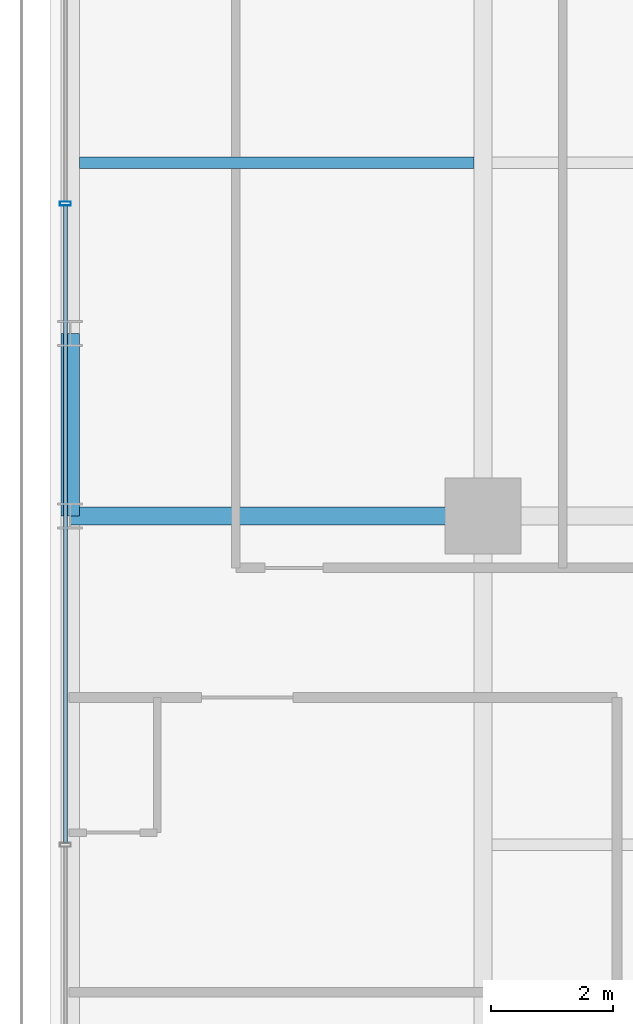
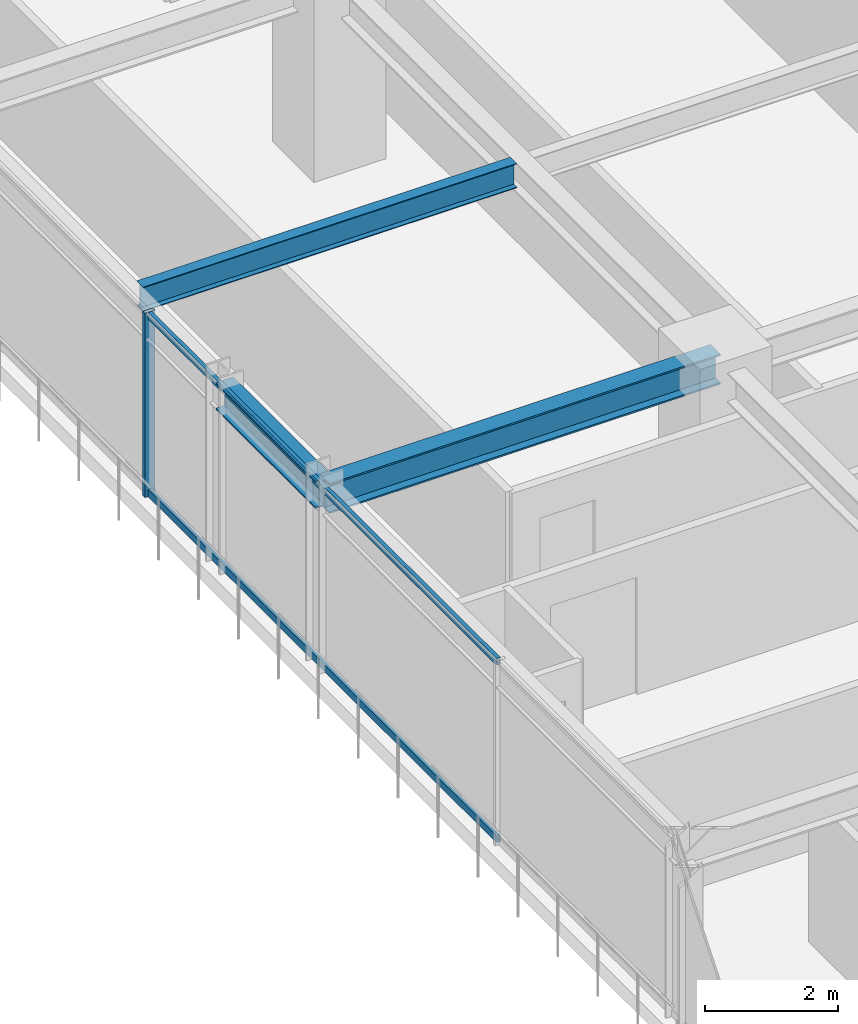
# One storey, part 17 of 34: 3 beams, 3 members, 1 element without a shape of its own.
"""IFC4 building model written with IfcOpenShell, lengths in metres."""

import ifcopenshell
import ifcopenshell.guid

model = None  # the IFC model being written
_history = None  # IfcOwnerHistory: only IFC2X3 demands one
_inside = {}  # id of a spatial element -> (the spatial element, [elements in it])
_under = {}  # id of a project, library or spatial element -> (it, [spatial elements below it])
_declared = {}  # id of a project -> (the project, [libraries it declares])
_typed = {}  # id of a type object -> (the type object, [elements of that type])
_made_of = {}  # id of a material, layer set ... -> (it, [elements and type objects made of it])


def new_model(schema):
    """Start an empty IFC model of exactly this schema.

    Asked for "IFC4X3", IfcOpenShell would pick the latest addendum, in which some entities
    have other attributes; the version numbers below select the first issue.
    IFC2X3 requires an IfcOwnerHistory on every rooted entity: one is made here for all.
    """
    global model, _history
    if schema == "IFC4X3":
        model = ifcopenshell.file(schema_version=(4, 3, 0, 0))
    else:
        model = ifcopenshell.file(schema=schema)
    _inside.clear()
    _under.clear()
    _declared.clear()
    _typed.clear()
    _made_of.clear()
    _history = None
    if model.schema == "IFC2X3":
        org = make("IfcOrganization", Name="unknown")
        user = make(
            "IfcPersonAndOrganization",
            ThePerson=make("IfcPerson", FamilyName="unknown"),
            TheOrganization=org,
        )
        app = make(
            "IfcApplication",
            ApplicationDeveloper=org,
            Version="unknown",
            ApplicationFullName="unknown",
            ApplicationIdentifier="unknown",
        )
        _history = make(
            "IfcOwnerHistory",
            OwningUser=user,
            OwningApplication=app,
            ChangeAction="ADDED",
            CreationDate=0,
        )
    return model


def make(cls, **values):
    """One entity of the class cls with the attributes given. An attribute that is None is left unset."""
    return model.create_entity(
        cls, **{name: value for name, value in values.items() if value is not None}
    )


def rooted(cls, **values):
    """An entity with a GlobalId (a new one), such as an element, a storey or a relation."""
    return make(cls, GlobalId=ifcopenshell.guid.new(), OwnerHistory=_history, **values)


def si_unit(unit_type, name, prefix=None):
    """IfcSIUnit, for example si_unit("LENGTHUNIT", "METRE", prefix="MILLI")."""
    return make("IfcSIUnit", UnitType=unit_type, Prefix=prefix, Name=name)


def assignment(units):
    """IfcUnitAssignment: the units of a project."""
    return None if units is None else make("IfcUnitAssignment", Units=units)


def point(xyz):
    """IfcCartesianPoint."""
    return None if xyz is None else make("IfcCartesianPoint", Coordinates=xyz)


def direction(xyz):
    """IfcDirection."""
    return None if xyz is None else make("IfcDirection", DirectionRatios=xyz)


def frame(location, z_axis=None, x_axis=None):
    """IfcAxis2Placement3D, a coordinate frame: its origin and axes. An axis left out is left unset."""
    return make(
        "IfcAxis2Placement3D",
        Location=point(location),
        Axis=direction(z_axis),
        RefDirection=direction(x_axis),
    )


def frame_2d(location, x_axis=None):
    """IfcAxis2Placement2D, a coordinate frame in the plane: its origin and x axis."""
    return make(
        "IfcAxis2Placement2D", Location=point(location), RefDirection=direction(x_axis)
    )


def origin():
    """The frame at (0, 0, 0) with its axes left unset."""
    return frame((0.0, 0.0, 0.0))


def origin_2d():
    """The frame at (0, 0) in the plane with its x axis left unset."""
    return frame_2d((0.0, 0.0))


def place(relative_to, where):
    """IfcLocalPlacement: puts the frame where relative to a parent placement (None: the world)."""
    return make(
        "IfcLocalPlacement", PlacementRelTo=relative_to, RelativePlacement=where
    )


def context(
    kind, dimensions, precision=None, world=None, true_north=None, identifier=None
):
    """IfcGeometricRepresentationContext, for example the 3D "Model" context."""
    return make(
        "IfcGeometricRepresentationContext",
        ContextIdentifier=identifier,
        ContextType=kind,
        CoordinateSpaceDimension=dimensions,
        Precision=precision,
        WorldCoordinateSystem=world,
        TrueNorth=true_north,
    )


def subcontext(parent, identifier, kind, view, scale=None):
    """IfcGeometricRepresentationSubContext, for example "Body" below "Model"."""
    return make(
        "IfcGeometricRepresentationSubContext",
        ContextIdentifier=identifier,
        ContextType=kind,
        ParentContext=parent,
        TargetScale=scale,
        TargetView=view,
    )


def project(units=None, contexts=None):
    """IfcProject with its units and contexts."""
    return rooted(
        "IfcProject",
        Name="project",
        RepresentationContexts=contexts,
        UnitsInContext=assignment(units),
    )


def spatial(cls, under=None, at=None, **own):
    """A site, building, storey or space (cls), placed at a placement, below another one or the project."""
    s = rooted(cls, ObjectPlacement=at, **own)
    if under is not None:
        _under.setdefault(under.id(), (under, []))[1].append(s)
    return s


def profile(cls, at=None, kind="AREA", **sizes):
    """A parametric profile (cls). Its sizes go by their IFC names, for example OverallWidth=200.0."""
    return make(cls, ProfileType=kind, Position=at, **sizes)


def hollow_rectangle(**sizes):
    """IfcRectangleHollowProfileDef."""
    return profile("IfcRectangleHollowProfileDef", **sizes)


def i_section(**sizes):
    """IfcIShapeProfileDef."""
    return profile("IfcIShapeProfileDef", **sizes)


def extrude(swept, where, along, depth):
    """IfcExtrudedAreaSolid: the profile swept, set in the frame where, extruded along a direction by depth."""
    return make(
        "IfcExtrudedAreaSolid",
        SweptArea=swept,
        Position=where,
        ExtrudedDirection=direction(along),
        Depth=depth,
    )


def shape(context_of_items, identifier, shape_type, items):
    """IfcShapeRepresentation: the items that make up one representation, for example the "Body"."""
    return make(
        "IfcShapeRepresentation",
        ContextOfItems=context_of_items,
        RepresentationIdentifier=identifier,
        RepresentationType=shape_type,
        Items=items,
    )


def source(mapping_origin, context_of_items, identifier, shape_type, items):
    """IfcRepresentationMap: a shape defined once, which mapped items show again and again."""
    return make(
        "IfcRepresentationMap",
        MappingOrigin=mapping_origin,
        MappedRepresentation=shape(context_of_items, identifier, shape_type, items),
    )


def transform(
    local_origin,
    x_axis=None,
    y_axis=None,
    z_axis=None,
    scale=None,
    scale2=None,
    scale3=None,
    uniform=True,
):
    """IfcCartesianTransformationOperator3D, or its non-uniform kind. x_axis, y_axis, z_axis: its Axis1, 2, 3."""
    if uniform:
        return make(
            "IfcCartesianTransformationOperator3D",
            Axis1=direction(x_axis),
            Axis2=direction(y_axis),
            LocalOrigin=point(local_origin),
            Scale=scale,
            Axis3=direction(z_axis),
        )
    return make(
        "IfcCartesianTransformationOperator3DnonUniform",
        Axis1=direction(x_axis),
        Axis2=direction(y_axis),
        LocalOrigin=point(local_origin),
        Scale=scale,
        Axis3=direction(z_axis),
        Scale2=scale2,
        Scale3=scale3,
    )


def mapped(mapping_source, mapping_target):
    """IfcMappedItem: shows the shape of a source again, moved by a transform."""
    return make(
        "IfcMappedItem", MappingSource=mapping_source, MappingTarget=mapping_target
    )


def material(Name=None, Category=None):
    """IfcMaterial."""
    return make("IfcMaterial", Name=Name, Category=Category)


def material_profile(
    of_material, cross_section, Name=None, Category=None, Priority=None
):
    """IfcMaterialProfile: a cross section and its material."""
    return make(
        "IfcMaterialProfile",
        Name=Name,
        Material=of_material,
        Profile=cross_section,
        Priority=Priority,
        Category=Category,
    )


def profile_set(profiles, Name=None, composite=None):
    """IfcMaterialProfileSet."""
    return make(
        "IfcMaterialProfileSet",
        Name=Name,
        MaterialProfiles=profiles,
        CompositeProfile=composite,
    )


def made_of(thing, what):
    """Note that an element or type object is made of a material, layer set ...; save() writes the relation."""
    if what is not None:
        _made_of.setdefault(what.id(), (what, []))[1].append(thing)
    return thing


def type_object(cls, material=None, **own):
    """A type object (cls), such as IfcWallType, which elements share."""
    return made_of(rooted(cls, **own), material)


def element(
    cls,
    number,
    at=None,
    inside=None,
    cuts=None,
    type_object=None,
    material=None,
    context=None,
    identifier="Body",
    shape_type=None,
    held_by="IfcProductDefinitionShape",
    body=None,
    shapes=None,
    **own,
):
    """One element of the class cls, such as IfcWall. Its Tag is "e" and its number.

    at: its placement. inside: the storey or other place that contains it. cuts: it is an
    opening in that element (IfcRelVoidsElement). A single representation is given by context,
    identifier, shape_type and body (its items); several are given by shapes. held_by: the class
    of the entity that holds the representations. save() writes the other relations.
    """
    e = rooted(cls, Tag="e%d" % number, ObjectPlacement=at, **own)
    if body is not None:
        shapes = [shape(context, identifier, shape_type, body)]
    if shapes is not None:
        e.Representation = make(held_by, Representations=shapes)
    if inside is not None:
        _inside.setdefault(inside.id(), (inside, []))[1].append(e)
    if cuts is not None:
        rooted(
            "IfcRelVoidsElement", RelatingBuildingElement=cuts, RelatedOpeningElement=e
        )
    if type_object is not None:
        _typed.setdefault(type_object.id(), (type_object, []))[1].append(e)
    return made_of(e, material)


def aggregate(whole, parts):
    """IfcRelAggregates: a whole, such as a stair, and the parts it consists of."""
    return rooted("IfcRelAggregates", RelatingObject=whole, RelatedObjects=parts)


def save(model, path):
    """Write the relations noted so far, then the file.

    IfcRelAggregates (storeys below a building ...), IfcRelContainedInSpatialStructure (elements
    in a storey), IfcRelDefinesByType, IfcRelAssociatesMaterial and IfcRelDeclares: one each for
    every whole, place, type object, material and project.
    """
    for whole, parts in _under.values():
        aggregate(whole, parts)
    for where, things in _inside.values():
        rooted(
            "IfcRelContainedInSpatialStructure",
            RelatedElements=things,
            RelatingStructure=where,
        )
    for kind, things in _typed.values():
        rooted("IfcRelDefinesByType", RelatedObjects=things, RelatingType=kind)
    for what, things in _made_of.values():
        rooted("IfcRelAssociatesMaterial", RelatedObjects=things, RelatingMaterial=what)
    for by, libraries in _declared.values():
        rooted("IfcRelDeclares", RelatingContext=by, RelatedDefinitions=libraries)
    model.write(path)


model = new_model("IFC4")

# Units and contexts
model_context = context("Model", 3, precision=1e-05, world=origin(), true_north=direction((0.0, 1.0)))
body_context = subcontext(model_context, "Body", "Model", "MODEL_VIEW")
ifc_project = project(units=[si_unit("LENGTHUNIT", "METRE"), si_unit("AREAUNIT", "SQUARE_METRE"), si_unit("VOLUMEUNIT", "CUBIC_METRE"), si_unit("PLANEANGLEUNIT", "RADIAN"), si_unit("MASSUNIT", "GRAM", prefix="KILO")], contexts=[model_context])

# Site, building, storey
site_placement = place(None, origin())
site = spatial("IfcSite", under=ifc_project, at=site_placement, CompositionType="ELEMENT")
building_placement = place(site_placement, origin())
building = spatial("IfcBuilding", under=site, at=building_placement, Name="Nahalor Promenade Grand Hotel", CompositionType="ELEMENT")
storey_placement = place(building_placement, frame((0.0, 0.0, 88.300048828125)))
storey = spatial("IfcBuildingStorey", under=building, at=storey_placement, Name="L21", CompositionType="ELEMENT", Elevation=88.300048828125)

# Beams
ifc_material_1 = material(Name="Steel S355JR", Category="steel")
ifc_material_profile_1 = material_profile(ifc_material_1, i_section(OverallWidth=0.3, OverallDepth=0.5, WebThickness=0.0145, FlangeThickness=0.028, at=origin_2d()), Name="HEB 500")
ifc_profile_set_1 = profile_set([ifc_material_profile_1], Name="Steel S355JR")
beam_type_1 = type_object("IfcBeamType", Name="Beam-Spandrel-HEB500", PredefinedType="SPANDREL", material=ifc_profile_set_1)
shared_shape_1 = source(origin(), body_context, "Body", "SweptSolid", [
    extrude(i_section(OverallWidth=0.3, OverallDepth=0.5, WebThickness=0.0145, FlangeThickness=0.028, at=origin_2d()), origin(), (0.0, 0.0, 1.0), 3.0),
])
beam_1_placement = place(storey_placement, frame((-23.780029296875, 5.39990234375, 3.1298828125), z_axis=(0.0, 1.0, 0.0), x_axis=(-1.0, 0.0, 0.0)))
element("IfcBeam", 1, at=beam_1_placement, inside=storey, type_object=beam_type_1, Name="BM-L21-SP-W-3", PredefinedType="SPANDREL", context=body_context, shape_type="MappedRepresentation", body=[
    mapped(shared_shape_1, transform((0.0, 0.0, 0.0), scale=1.0)),
])
ifc_material_profile_2 = material_profile(ifc_material_1, i_section(OverallWidth=0.3, OverallDepth=0.55, WebThickness=0.015, FlangeThickness=0.029, at=origin_2d()), Name="HEB 550")
ifc_profile_set_2 = profile_set([ifc_material_profile_2], Name="Steel S355JR")
beam_type_2 = type_object("IfcBeamType", Name="Beam-Girder-HEB550", PredefinedType="BEAM", material=ifc_profile_set_2)
shared_shape_2 = source(origin(), body_context, "Body", "SweptSolid", [
    extrude(i_section(OverallWidth=0.3, OverallDepth=0.55, WebThickness=0.015, FlangeThickness=0.029, at=origin_2d()), origin(), (0.0, 0.0, 1.0), 6.780029296875),
])
beam_2_placement = place(storey_placement, frame((-23.780029296875, 5.39990234375, 3.10498046875), z_axis=(1.0, 0.0, 0.0), x_axis=(0.0, 1.0, 0.0)))
element("IfcBeam", 2, at=beam_2_placement, inside=storey, type_object=beam_type_2, Name="BM-L21-GX-2-0", PredefinedType="BEAM", context=body_context, shape_type="MappedRepresentation", body=[
    mapped(shared_shape_2, transform((0.0, 0.0, 0.0), scale=1.0)),
])
ifc_material_profile_3 = material_profile(ifc_material_1, i_section(OverallWidth=0.19, OverallDepth=0.45, WebThickness=0.0094, FlangeThickness=0.0146, at=origin_2d()), Name="IPE 450")
ifc_profile_set_3 = profile_set([ifc_material_profile_3], Name="Steel S355JR")
beam_type_3 = type_object("IfcBeamType", Name="Beam-Joist-IPE450", PredefinedType="JOIST", material=ifc_profile_set_3)
shared_shape_3 = source(origin(), body_context, "Body", "SweptSolid", [
    extrude(i_section(OverallWidth=0.19, OverallDepth=0.45, WebThickness=0.0094, FlangeThickness=0.0146, at=origin_2d()), origin(), (0.0, 0.0, 1.0), 6.47998046875),
])
beam_3_placement = place(storey_placement, frame((-23.6298828125, 11.199951171875, 3.155029296875), z_axis=(1.0, 0.0, 0.0), x_axis=(0.0, 1.0, 0.0)))
element("IfcBeam", 3, at=beam_3_placement, inside=storey, type_object=beam_type_3, Name="BM-L21-JSW-1-0", PredefinedType="JOIST", context=body_context, shape_type="MappedRepresentation", body=[
    mapped(shared_shape_3, transform((0.0, 0.0, 0.0), scale=1.0)),
])

# Curtain wall, members
ifc_material_2 = material(Name="Anodised Bronze Aluminium EN AW-6063 T6", Category="aluminium")
curtain_wall_type = type_object("IfcCurtainWallType", Name="CW2 Typical Hotel Flush Bronze Unitised Curtain Wall", PredefinedType="USERDEFINED", material=ifc_material_2)
curtain_wall_placement = place(storey_placement, origin())
curtain_wall = element("IfcCurtainWall", 4, at=curtain_wall_placement, inside=storey, type_object=curtain_wall_type, Name="L21 Curtain Wall CW-L21-W-1", ObjectType="UNITISED_CURTAIN_WALL", PredefinedType="USERDEFINED")
ifc_material_profile_4 = material_profile(ifc_material_2, hollow_rectangle(XDim=0.065, YDim=0.18, WallThickness=0.004, at=origin_2d()), Name="CWM 65x180x4")
ifc_profile_set_4 = profile_set([ifc_material_profile_4], Name="Anodised Bronze Aluminium EN AW-6063 T6")
member_type_1 = type_object("IfcMemberType", Name="CWM2 Typical Bronze Mullion 65x180", PredefinedType="MULLION", material=ifc_profile_set_4)
shared_shape_4 = source(origin(), body_context, "Body", "SweptSolid", [
    extrude(hollow_rectangle(XDim=0.065, YDim=0.18, WallThickness=0.004, at=origin_2d()), origin(), (0.0, 0.0, 1.0), 3.3798828125),
])
member_1_placement = place(storey_placement, frame((-23.860107421875, 10.530029296875, 0.0), z_axis=(0.0, 0.0, 1.0), x_axis=(0.0, 1.0, 0.0)))
member_1 = element("IfcMember", 5, at=member_1_placement, type_object=member_type_1, Name="CW-L21-W-1 Mullion 3", PredefinedType="MULLION", context=body_context, shape_type="MappedRepresentation", body=[
    mapped(shared_shape_4, transform((0.0, 0.0, 0.0), scale=1.0)),
])
ifc_material_profile_5 = material_profile(ifc_material_2, hollow_rectangle(XDim=0.065, YDim=0.13, WallThickness=0.004, at=origin_2d()), Name="CWT 65x130x4")
ifc_profile_set_5 = profile_set([ifc_material_profile_5], Name="Anodised Bronze Aluminium EN AW-6063 T6")
member_type_2 = type_object("IfcMemberType", Name="CWT2 Typical Bronze Transom 65x130", PredefinedType="USERDEFINED", material=ifc_profile_set_5)
shared_shape_5 = source(origin(), body_context, "Body", "SweptSolid", [
    extrude(hollow_rectangle(XDim=0.065, YDim=0.13, WallThickness=0.004, at=origin_2d()), origin(), (0.0, 0.0, 1.0), 10.465087890625),
])
member_2_placement = place(storey_placement, frame((-23.860107421875, 0.032470703125, 0.06494140625), z_axis=(0.0, 1.0, 0.0), x_axis=(-1.0, 0.0, 0.0)))
member_2 = element("IfcMember", 6, at=member_2_placement, type_object=member_type_2, Name="CW-L21-W-1 Transom 2-0", ObjectType="TRANSOM", PredefinedType="USERDEFINED", context=body_context, shape_type="MappedRepresentation", body=[
    mapped(shared_shape_5, transform((0.0, 0.0, 0.0), scale=1.0)),
])
member_3_placement = place(storey_placement, frame((-23.860107421875, 0.032470703125, 3.31494140625), z_axis=(0.0, 1.0, 0.0), x_axis=(-1.0, 0.0, 0.0)))
member_3 = element("IfcMember", 7, at=member_3_placement, type_object=member_type_2, Name="CW-L21-W-1 Transom 2-1", ObjectType="TRANSOM", PredefinedType="USERDEFINED", context=body_context, shape_type="MappedRepresentation", body=[
    mapped(shared_shape_5, transform((0.0, 0.0, 0.0), scale=1.0)),
])
aggregate(curtain_wall, [member_1, member_2, member_3])

save(model, "model.ifc")
